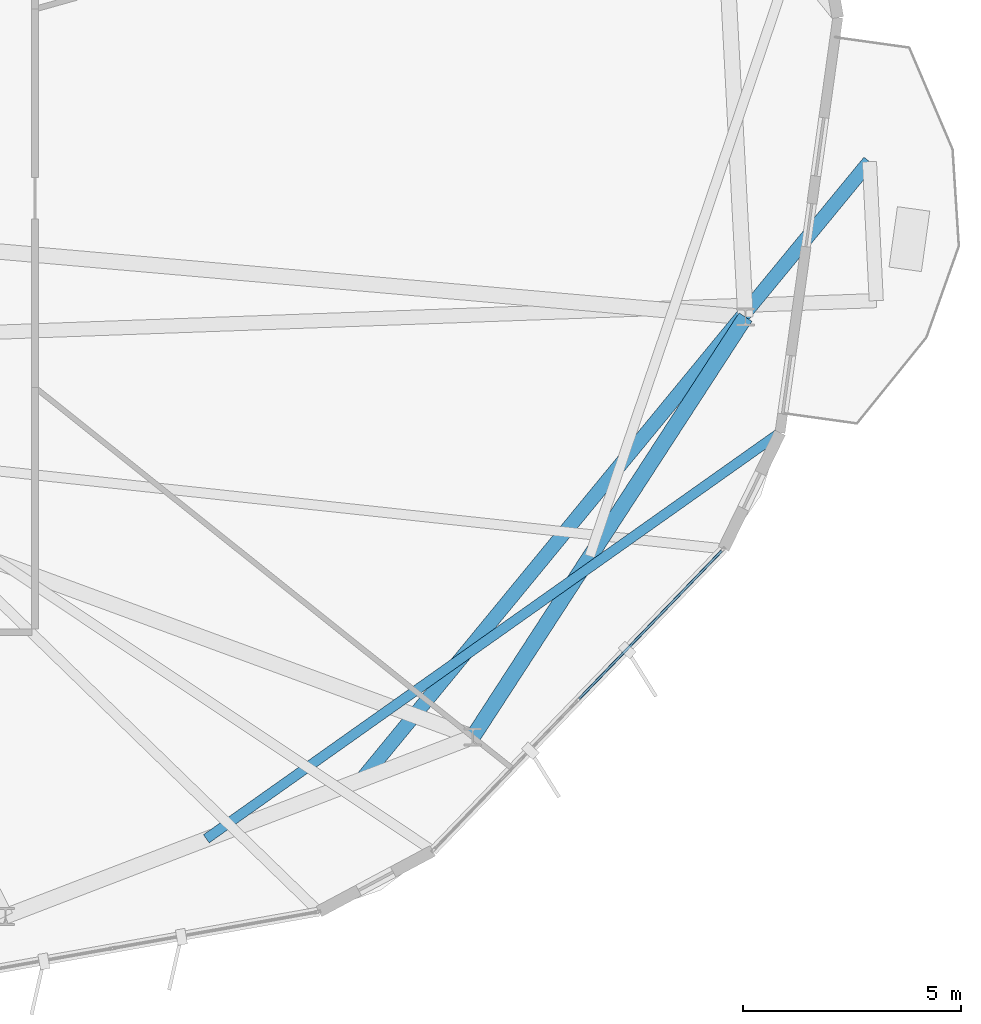
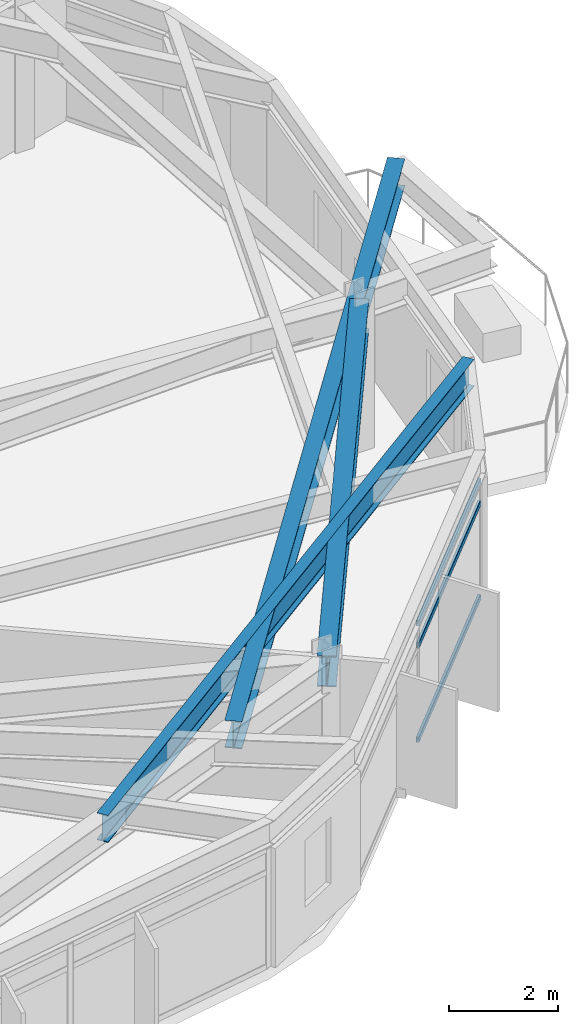
# One storey, part 12 of 28: 3 beams, 3 members, 1 element without a shape of its own.
"""IFC4 building model written with IfcOpenShell, lengths in metres."""

from ifc_helpers import new_model, si_unit, direction, frame, origin, origin_2d, place, context, subcontext, project, spatial, hollow_rectangle, i_section, extrude, material, layer, layer_set, material_profile, profile_set, type_object, element, aggregate, save


model = new_model("IFC4")

# Units and contexts
model_context = context("Model", 3, precision=1e-05, world=origin(), true_north=direction((0.0, 1.0)))
body_context = subcontext(model_context, "Body", "Model", "MODEL_VIEW")
ifc_project = project(units=[si_unit("LENGTHUNIT", "METRE"), si_unit("AREAUNIT", "SQUARE_METRE"), si_unit("VOLUMEUNIT", "CUBIC_METRE"), si_unit("PLANEANGLEUNIT", "RADIAN"), si_unit("MASSUNIT", "GRAM", prefix="KILO")], contexts=[model_context])

# Site, building, storey
site_placement = place(None, origin())
site = spatial("IfcSite", under=ifc_project, at=site_placement, CompositionType="ELEMENT")
building_placement = place(site_placement, origin())
building = spatial("IfcBuilding", under=site, at=building_placement, Name="Soratama Intermodal Tower", CompositionType="ELEMENT")
storey_placement = place(building_placement, frame((0.0, 0.0, 205.0)))
storey = spatial("IfcBuildingStorey", under=building, at=storey_placement, Name="L51", CompositionType="ELEMENT", Elevation=205.0)

# Beams
ifc_material_1 = material(Name="Structural steel ASTM A992 Grade 50", Category="steel")
ifc_material_profile_1 = material_profile(ifc_material_1, i_section(OverallWidth=0.324951171875, OverallDepth=0.615966796875, WebThickness=0.013916015625, FlangeThickness=0.021484375, FilletRadius=0.013916015625, at=origin_2d()), Name="W24X117")
ifc_profile_set_1 = profile_set([ifc_material_profile_1], Name="Structural steel ASTM A992 Grade 50")
beam_type_1 = type_object("IfcBeamType", Name="BM-CANT-W24X117", PredefinedType="BEAM", material=ifc_profile_set_1)
beam_1_placement = place(storey_placement, frame((54.1708984375, 9.593017578125, 2.991943359375), z_axis=(0.635004050096, 0.772508806656, 0.0), x_axis=(-0.772508806656, 0.635004050096, 0.0)))
element("IfcBeam", 1, at=beam_1_placement, inside=storey, type_object=beam_type_1, Name="BM-L51-CANT-1-2", PredefinedType="BEAM", context=body_context, shape_type="SweptSolid", body=[
    extrude(i_section(OverallWidth=0.324951171875, OverallDepth=0.615966796875, WebThickness=0.013916015625, FlangeThickness=0.021484375, FilletRadius=0.013916015625, at=origin_2d()), origin(), (0.0, 0.0, 1.0), 18.333984375),
])
ifc_material_2 = material(Name="Structural steel ASTM A992 Grade 50", Category="steel")
ifc_material_profile_2 = material_profile(ifc_material_2, i_section(OverallWidth=0.35498046875, OverallDepth=0.695068359375, WebThickness=0.015380859375, FlangeThickness=0.02490234375, FilletRadius=0.01611328125, at=origin_2d()), Name="W27X146")
ifc_profile_set_2 = profile_set([ifc_material_profile_2], Name="Structural steel ASTM A992 Grade 50")
beam_type_2 = type_object("IfcBeamType", Name="BM-RING-W27X146", PredefinedType="BEAM", material=ifc_profile_set_2)
beam_2_placement = place(storey_placement, frame((56.705078125, 10.544921875, 2.952392578125), z_axis=(0.544637453764, 0.83867159482, 0.0), x_axis=(-0.83867159482, 0.544637453764, 0.0)))
element("IfcBeam", 2, at=beam_2_placement, inside=storey, type_object=beam_type_2, Name="BM-L51-RING-09", PredefinedType="BEAM", context=body_context, shape_type="SweptSolid", body=[
    extrude(i_section(OverallWidth=0.35498046875, OverallDepth=0.695068359375, WebThickness=0.015380859375, FlangeThickness=0.02490234375, FilletRadius=0.01611328125, at=origin_2d()), origin(), (0.0, 0.0, 1.0), 11.49560546875),
])
ifc_material_3 = material(Name="Structural steel ASTM A992 Grade 50", Category="steel")
ifc_material_profile_3 = material_profile(ifc_material_3, i_section(OverallWidth=0.22900390625, OverallDepth=0.612060546875, WebThickness=0.011962890625, FlangeThickness=0.01953125, FilletRadius=0.012939453125, at=origin_2d()), Name="W24X84")
ifc_profile_set_3 = profile_set([ifc_material_profile_3], Name="Structural steel ASTM A992 Grade 50")
beam_type_3 = type_object("IfcBeamType", Name="BM-TIE-W24X84", PredefinedType="BEAM", material=ifc_profile_set_3)
beam_3_placement = place(storey_placement, frame((50.5859375, 8.20703125, 2.993896484375), z_axis=(0.816219744882, 0.577741575504, 0.0), x_axis=(-0.577741575504, 0.816219744882, 0.0)))
element("IfcBeam", 3, at=beam_3_placement, inside=storey, type_object=beam_type_3, Name="BM-L51-TIE0-09", PredefinedType="BEAM", context=body_context, shape_type="SweptSolid", body=[
    extrude(i_section(OverallWidth=0.22900390625, OverallDepth=0.612060546875, WebThickness=0.011962890625, FlangeThickness=0.01953125, FilletRadius=0.012939453125, at=origin_2d()), origin(), (0.0, 0.0, 1.0), 16.140380859375),
])

# Curtain wall, members
ifc_material_4 = material(Name="Double-glazed aluminium curtain wall", Category="aluminium")
ifc_layer = layer(ifc_material_4, 0.159912109375)
ifc_layer_set = layer_set([ifc_layer], Name="Double-glazed aluminium curtain wall")
curtain_wall_type = type_object("IfcCurtainWallType", Name="CW-SYS-5", PredefinedType="NOTDEFINED", material=ifc_layer_set)
curtain_wall_placement = place(storey_placement, origin())
curtain_wall = element("IfcCurtainWall", 4, at=curtain_wall_placement, inside=storey, type_object=curtain_wall_type, Name="L51 Faceted Curtain Wall F08", PredefinedType="NOTDEFINED")
ifc_material_5 = material(Name="Anodised aluminium AA 6063-T6", Category="aluminium")
ifc_material_profile_4 = material_profile(ifc_material_5, hollow_rectangle(XDim=0.06005859375, YDim=0.1298828125, WallThickness=0.0048828125, InnerFilletRadius=0.0048828125, OuterFilletRadius=0.010009765625, at=origin_2d()), Name="CWT130X60X5")
ifc_profile_set_4 = profile_set([ifc_material_profile_4], Name="Anodised aluminium AA 6063-T6")
member_type = type_object("IfcMemberType", Name="TT-CWT-2", PredefinedType="USERDEFINED", material=ifc_profile_set_4)
member_1_placement = place(storey_placement, frame((59.14599609375, 11.419189453125, 0.030029296875), z_axis=(0.693641687066, 0.720320213491, 0.0), x_axis=(-0.720320213491, 0.693641687066, 0.0)))
member_1 = element("IfcMember", 5, at=member_1_placement, type_object=member_type, Name="CW-5 transom 2.1", ObjectType="TRANSOM", PredefinedType="USERDEFINED", context=body_context, shape_type="SweptSolid", body=[
    extrude(hollow_rectangle(XDim=0.06005859375, YDim=0.1298828125, WallThickness=0.0048828125, InnerFilletRadius=0.0048828125, OuterFilletRadius=0.010009765625, at=origin_2d()), origin(), (0.0, 0.0, 1.0), 4.721923828125),
])
member_2_placement = place(storey_placement, frame((59.14599609375, 11.419189453125, 2.14990234375), z_axis=(0.693641687066, 0.720320213491, 0.0), x_axis=(-0.720320213491, 0.693641687066, 0.0)))
member_2 = element("IfcMember", 6, at=member_2_placement, type_object=member_type, Name="CW-5 transom 2.2", ObjectType="TRANSOM", PredefinedType="USERDEFINED", context=body_context, shape_type="SweptSolid", body=[
    extrude(hollow_rectangle(XDim=0.06005859375, YDim=0.1298828125, WallThickness=0.0048828125, InnerFilletRadius=0.0048828125, OuterFilletRadius=0.010009765625, at=origin_2d()), origin(), (0.0, 0.0, 1.0), 4.721923828125),
])
member_3_placement = place(storey_placement, frame((59.14599609375, 11.419189453125, 2.64892578125), z_axis=(0.693641687066, 0.720320213491, 0.0), x_axis=(-0.720320213491, 0.693641687066, 0.0)))
member_3 = element("IfcMember", 7, at=member_3_placement, type_object=member_type, Name="CW-5 transom 2.3", ObjectType="TRANSOM", PredefinedType="USERDEFINED", context=body_context, shape_type="SweptSolid", body=[
    extrude(hollow_rectangle(XDim=0.06005859375, YDim=0.1298828125, WallThickness=0.0048828125, InnerFilletRadius=0.0048828125, OuterFilletRadius=0.010009765625, at=origin_2d()), origin(), (0.0, 0.0, 1.0), 4.721923828125),
])
aggregate(curtain_wall, [member_1, member_2, member_3])

save(model, "model.ifc")
